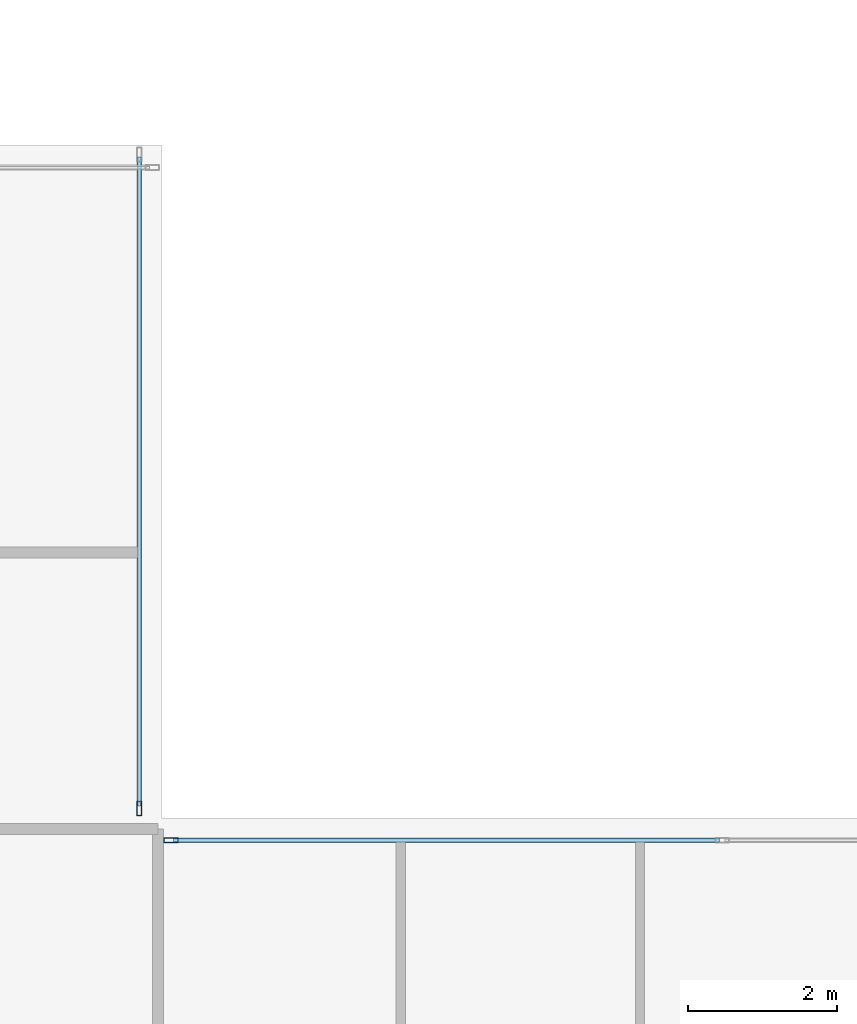
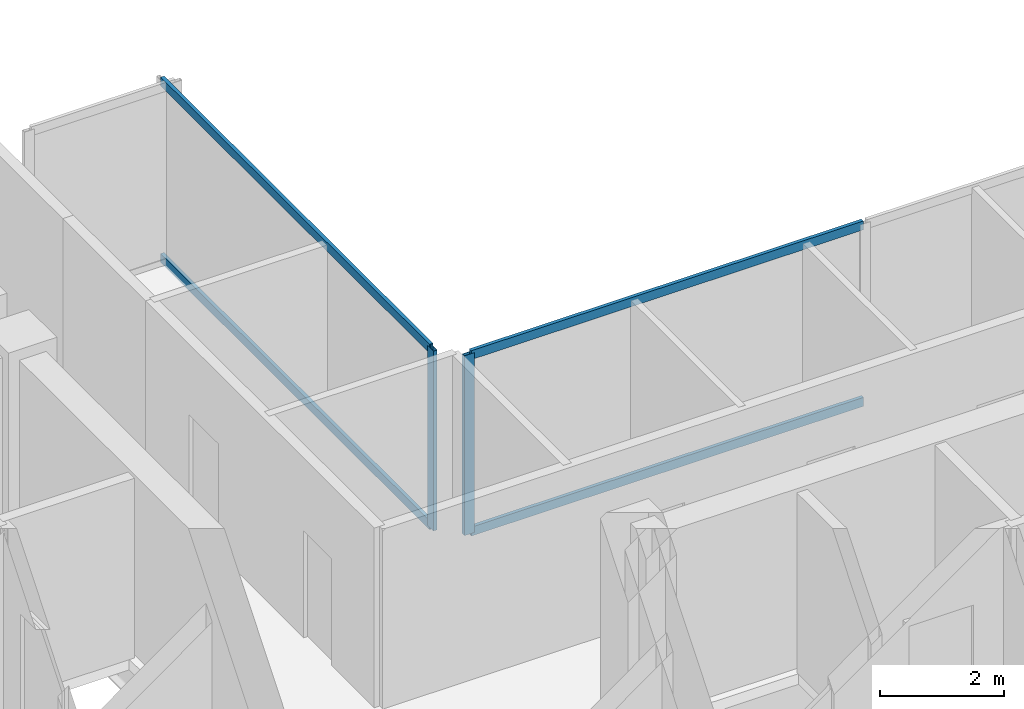
# One storey, part 10 of 25: 6 members, 2 elements without a shape of their own.
"""IFC4 building model written with IfcOpenShell, lengths in metres."""

from ifc_helpers import new_model, si_unit, direction, frame, origin, origin_2d, place, context, subcontext, project, spatial, hollow_rectangle, extrude, material, layer, layer_set, material_profile, profile_set, type_object, element, aggregate, save


model = new_model("IFC4")

# Units and contexts
model_context = context("Model", 3, precision=1e-05, world=origin(), true_north=direction((0.0, 1.0)))
body_context = subcontext(model_context, "Body", "Model", "MODEL_VIEW")
ifc_project = project(units=[si_unit("LENGTHUNIT", "METRE"), si_unit("AREAUNIT", "SQUARE_METRE"), si_unit("VOLUMEUNIT", "CUBIC_METRE"), si_unit("PLANEANGLEUNIT", "RADIAN"), si_unit("MASSUNIT", "GRAM", prefix="KILO"), si_unit("THERMODYNAMICTEMPERATUREUNIT", "KELVIN"), si_unit("POWERUNIT", "WATT")], contexts=[model_context])

# Site, building, storey
site_placement = place(None, origin())
site = spatial("IfcSite", under=ifc_project, at=site_placement, CompositionType="ELEMENT")
building_placement = place(site_placement, origin())
building = spatial("IfcBuilding", under=site, at=building_placement, Name="Svarakhadi Broadcast Tower", CompositionType="ELEMENT")
storey_placement = place(building_placement, frame((0.0, 0.0, 216.14990234375)))
storey = spatial("IfcBuildingStorey", under=building, at=storey_placement, Name="L53", CompositionType="ELEMENT", Elevation=216.14990234375)

# Curtain wall, member
ifc_material = material(Name="Anodised Bronze Aluminium AA 6063-T6", Category="aluminium")
ifc_layer = layer(ifc_material, 0.18994140625)
ifc_layer_set = layer_set([ifc_layer], Name="Anodised Bronze Aluminium AA 6063-T6")
curtain_wall_type = type_object("IfcCurtainWallType", Name="CW_Sys_04", PredefinedType="NOTDEFINED", material=ifc_layer_set)
curtain_wall_1_placement = place(storey_placement, origin())
curtain_wall_1 = element("IfcCurtainWall", 1, at=curtain_wall_1_placement, inside=storey, type_object=curtain_wall_type, Name="L53 Unitised Facade Curtain Wall 09", PredefinedType="NOTDEFINED")
ifc_material_profile_1 = material_profile(ifc_material, hollow_rectangle(XDim=0.070068359375, YDim=0.18994140625, WallThickness=0.005615234375, at=origin_2d()), Name="ALU MULLION 190x70x6")
ifc_profile_set_1 = profile_set([ifc_material_profile_1], Name="Anodised Bronze Aluminium AA 6063-T6")
member_type_1 = type_object("IfcMemberType", Name="CW_Sys_04_Mul", PredefinedType="MULLION", material=ifc_profile_set_1)
member_1_placement = place(storey_placement, frame((23.699951171875, 24.125, 0.0), z_axis=(0.0, 0.0, 1.0), x_axis=(1.0, 0.0, 0.0)))
member_1 = element("IfcMember", 2, at=member_1_placement, type_object=member_type_1, Name="CW-04 mullion 2", PredefinedType="MULLION", context=body_context, shape_type="SweptSolid", body=[
    extrude(hollow_rectangle(XDim=0.070068359375, YDim=0.18994140625, WallThickness=0.005615234375, at=origin_2d()), origin(), (0.0, 0.0, 1.0), 3.5400390625),
])

curtain_wall_2_placement = place(storey_placement, origin())
curtain_wall_2 = element("IfcCurtainWall", 3, at=curtain_wall_2_placement, inside=storey, type_object=curtain_wall_type, Name="L53 Unitised Facade Curtain Wall 10", PredefinedType="NOTDEFINED")
member_2_placement = place(storey_placement, frame((24.125, 23.699951171875, 0.0), z_axis=(0.0, 0.0, 1.0), x_axis=(0.0, 1.0, 0.0)))
member_2 = element("IfcMember", 4, at=member_2_placement, type_object=member_type_1, Name="CW-04 mullion 1", PredefinedType="MULLION", context=body_context, shape_type="SweptSolid", body=[
    extrude(hollow_rectangle(XDim=0.070068359375, YDim=0.18994140625, WallThickness=0.005615234375, at=origin_2d()), origin(), (0.0, 0.0, 1.0), 3.5400390625),
])

# Member
ifc_material_profile_2 = material_profile(ifc_material, hollow_rectangle(XDim=0.06494140625, YDim=0.175048828125, WallThickness=0.0048828125, at=origin_2d()), Name="ALU TRANSOM 175x65x5")
ifc_profile_set_2 = profile_set([ifc_material_profile_2], Name="Anodised Bronze Aluminium AA 6063-T6")
member_type_2 = type_object("IfcMemberType", Name="CW_Sys_04_Trn", PredefinedType="USERDEFINED", material=ifc_profile_set_2)
member_3_placement = place(storey_placement, frame((23.699951171875, 32.840087890625, 0.03271484375), z_axis=(0.0, -1.0, 0.0), x_axis=(1.0, 0.0, 0.0)))
member_3 = element("IfcMember", 5, at=member_3_placement, type_object=member_type_2, Name="CW-04 transom 1.1", ObjectType="TRANSOM", PredefinedType="USERDEFINED", context=body_context, shape_type="SweptSolid", body=[
    extrude(hollow_rectangle(XDim=0.06494140625, YDim=0.175048828125, WallThickness=0.0048828125, at=origin_2d()), origin(), (0.0, 0.0, 1.0), 8.68017578125),
])

member_4_placement = place(storey_placement, frame((23.699951171875, 32.840087890625, 3.507568359375), z_axis=(0.0, -1.0, 0.0), x_axis=(1.0, 0.0, 0.0)))
member_4 = element("IfcMember", 6, at=member_4_placement, type_object=member_type_2, Name="CW-04 transom 1.2", ObjectType="TRANSOM", PredefinedType="USERDEFINED", context=body_context, shape_type="SweptSolid", body=[
    extrude(hollow_rectangle(XDim=0.06494140625, YDim=0.175048828125, WallThickness=0.0048828125, at=origin_2d()), origin(), (0.0, 0.0, 1.0), 8.68017578125),
])

aggregate(curtain_wall_1, [member_1, member_3, member_4])

member_5_placement = place(storey_placement, frame((24.159912109375, 23.699951171875, 0.03271484375), z_axis=(1.0, 0.0, 0.0), x_axis=(0.0, 1.0, 0.0)))
member_5 = element("IfcMember", 7, at=member_5_placement, type_object=member_type_2, Name="CW-04 transom 1.1", ObjectType="TRANSOM", PredefinedType="USERDEFINED", context=body_context, shape_type="SweptSolid", body=[
    extrude(hollow_rectangle(XDim=0.06494140625, YDim=0.175048828125, WallThickness=0.0048828125, at=origin_2d()), origin(), (0.0, 0.0, 1.0), 7.30517578125),
])

member_6_placement = place(storey_placement, frame((24.159912109375, 23.699951171875, 3.507568359375), z_axis=(1.0, 0.0, 0.0), x_axis=(0.0, 1.0, 0.0)))
member_6 = element("IfcMember", 8, at=member_6_placement, type_object=member_type_2, Name="CW-04 transom 1.2", ObjectType="TRANSOM", PredefinedType="USERDEFINED", context=body_context, shape_type="SweptSolid", body=[
    extrude(hollow_rectangle(XDim=0.06494140625, YDim=0.175048828125, WallThickness=0.0048828125, at=origin_2d()), origin(), (0.0, 0.0, 1.0), 7.30517578125),
])

aggregate(curtain_wall_2, [member_2, member_5, member_6])

save(model, "model.ifc")
